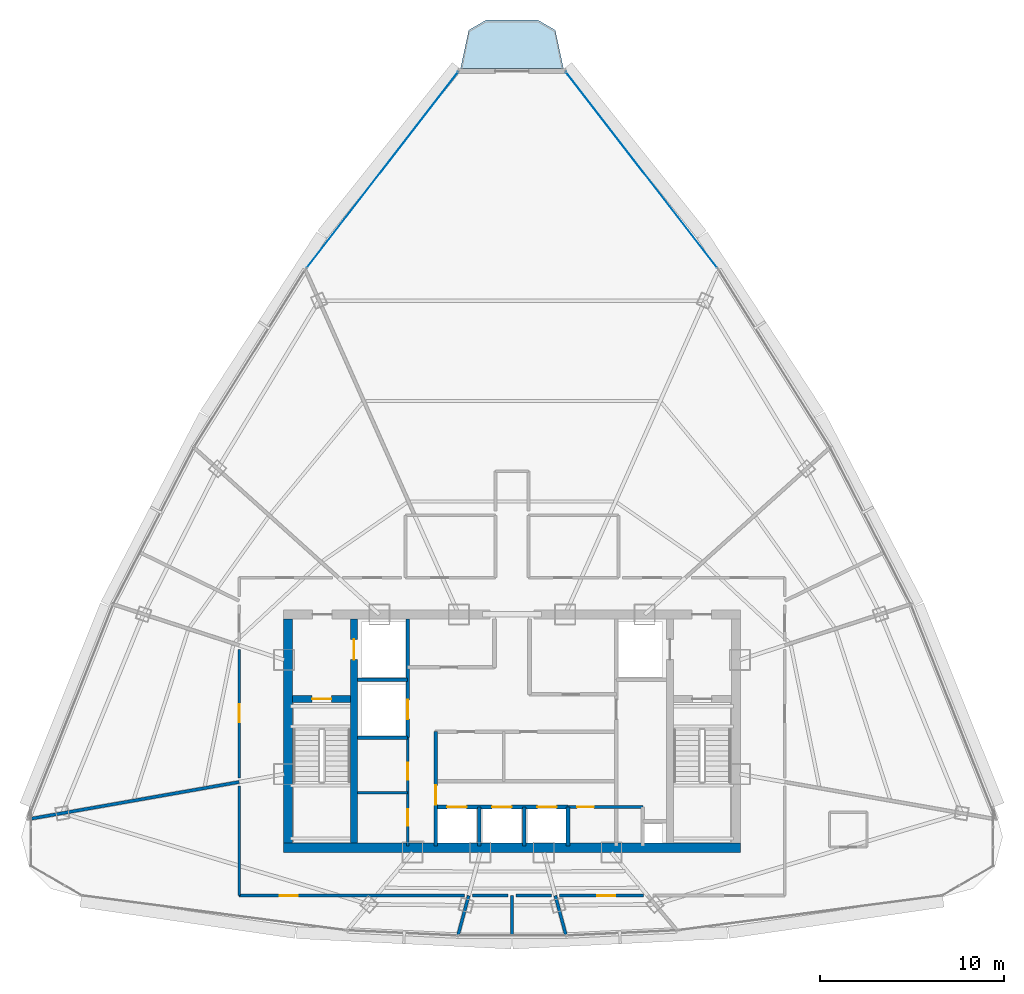
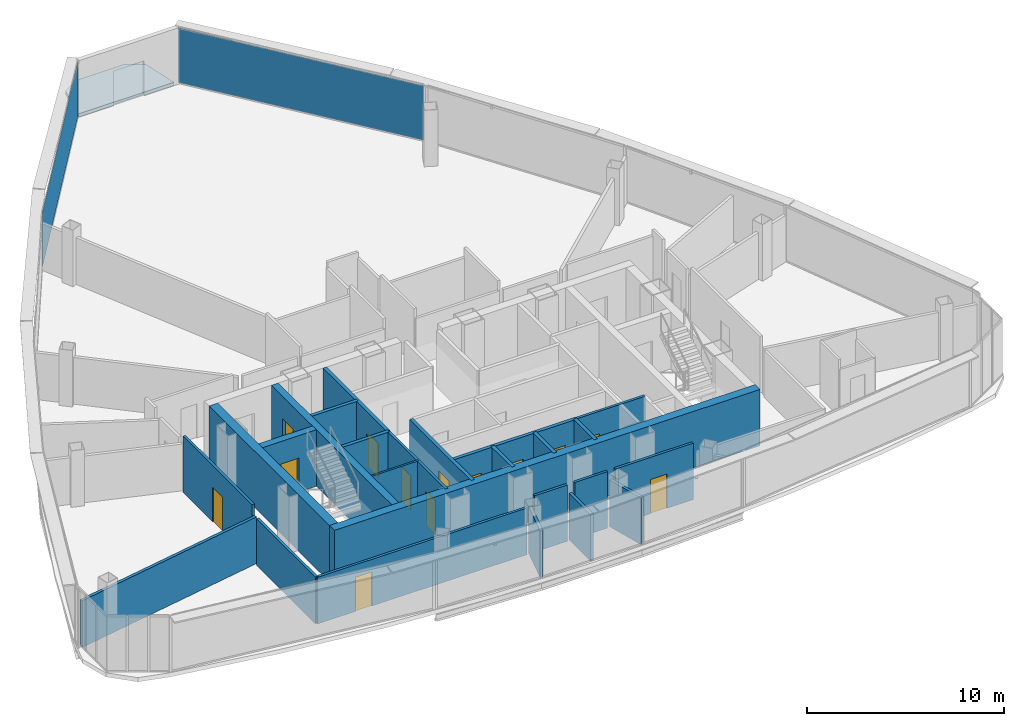
# One storey, part 24 of 29: 25 walls, 13 doors, 2 plates, 1 slab, 13 openings, 2 elements without a shape of their own.
"""IFC4 building model written with IfcOpenShell, lengths in metres."""

from ifc_helpers import new_model, si_unit, direction, frame, frame_2d, origin, origin_with_axes, origin_2d, place, context, subcontext, project, spatial, polyline, rectangle, outline, extrude, source, transform, mapped, material, layer, layer_set, type_object, element, fill, aggregate, save


model = new_model("IFC4")

# Units and contexts
model_context = context("Model", 3, precision=1e-05, world=origin(), true_north=direction((0.0, 1.0)))
body_context = subcontext(model_context, "Body", "Model", "MODEL_VIEW")
ifc_project = project(units=[si_unit("LENGTHUNIT", "METRE"), si_unit("AREAUNIT", "SQUARE_METRE"), si_unit("VOLUMEUNIT", "CUBIC_METRE"), si_unit("PLANEANGLEUNIT", "RADIAN"), si_unit("MASSUNIT", "GRAM", prefix="KILO"), si_unit("THERMODYNAMICTEMPERATUREUNIT", "KELVIN"), si_unit("POWERUNIT", "WATT")], contexts=[model_context])

# Site, building, storey
site_placement = place(None, origin())
site = spatial("IfcSite", under=ifc_project, at=site_placement, CompositionType="ELEMENT")
building_placement = place(site_placement, origin())
building = spatial("IfcBuilding", under=site, at=building_placement, Name="Yunzhuo Pagoda Commons", CompositionType="ELEMENT")
storey_placement = place(building_placement, frame((0.0, 0.0, 359.260009765625)))
storey = spatial("IfcBuildingStorey", under=building, at=storey_placement, Name="L90", CompositionType="ELEMENT", Elevation=359.260009765625)

# Slab
ifc_material_1 = material(Name="Concrete C40", Category="concrete")
ifc_layer_1 = layer(ifc_material_1, 0.199951171875)
ifc_layer_set_1 = layer_set([ifc_layer_1], Name="Concrete C40")
slab_type = type_object("IfcSlabType", Name="SL-BAL Vertex Balcony Deck Slab 200", PredefinedType="FLOOR", material=ifc_layer_set_1)
slab_placement = place(storey_placement, frame((0.0, 0.0, -0.199951171875)))
element("IfcSlab", 1, at=slab_placement, inside=storey, type_object=slab_type, Name="L90 corner balcony V3", PredefinedType="FLOOR", context=body_context, shape_type="SweptSolid", body=[
    extrude(outline(polyline([(50.802001953125, 69.911376953125), (45.197998046875, 69.911376953125), (45.64794921875, 72.00634765625), (46.59912109375, 72.556396484375), (49.40087890625, 72.556396484375), (50.35205078125, 72.00634765625), (50.802001953125, 69.911376953125)])), origin(), (0.0, 0.0, 1.0), 0.199951171875),
])

# Curtain wall, plate
ifc_material_2 = material(Name="Anodized aluminium 6063-T6", Category="aluminium")
ifc_layer_2 = layer(ifc_material_2, 0.139892578125)
ifc_layer_set_2 = layer_set([ifc_layer_2], Name="Anodized aluminium 6063-T6")
curtain_wall_type = type_object("IfcCurtainWallType", Name="CW-HI High-Zone Ribbon Curtain Wall", PredefinedType="NOTDEFINED", material=ifc_layer_set_2)
curtain_wall_1_placement = place(storey_placement, origin())
curtain_wall_1 = element("IfcCurtainWall", 2, at=curtain_wall_1_placement, inside=storey, type_object=curtain_wall_type, Name="L90 curtain wall CW-L90-F2B5", PredefinedType="NOTDEFINED")
ifc_material_3 = material(Name="Tempered low-e double glazing", Category="glass")
ifc_layer_3 = layer(ifc_material_3, 0.02587890625)
ifc_layer_set_3 = layer_set([ifc_layer_3], Name="Tempered low-e double glazing")
plate_type = type_object("IfcPlateType", Name="CW-HI-P Low-E Double Glazing 26", PredefinedType="CURTAIN_PANEL", material=ifc_layer_set_3)
shared_shape_1 = source(origin(), body_context, "Body", "SweptSolid", [
    extrude(rectangle(XDim=13.466064453125, YDim=0.028076171875, at=origin_2d()), origin(), (0.0, 0.0, 1.0), 3.3798828125),
])
plate_1_placement = place(storey_placement, frame((55.050048828125, 64.400634765625, 0.054931640625), z_axis=(0.0, 0.0, 1.0), x_axis=(-0.61136454293, 0.79134909847, 0.0)))
plate_1 = element("IfcPlate", 3, at=plate_1_placement, type_object=plate_type, Name="CW panel 1.1", PredefinedType="CURTAIN_PANEL", context=body_context, shape_type="MappedRepresentation", body=[
    mapped(shared_shape_1, transform((0.0, 0.0, 0.0), scale=1.0)),
])
aggregate(curtain_wall_1, [plate_1])

curtain_wall_2_placement = place(storey_placement, origin())
curtain_wall_2 = element("IfcCurtainWall", 4, at=curtain_wall_2_placement, inside=storey, type_object=curtain_wall_type, Name="L90 curtain wall CW-L90-F3B1", PredefinedType="NOTDEFINED")
plate_2_placement = place(storey_placement, frame((40.949951171875, 64.400634765625, 0.054931640625), z_axis=(0.0, 0.0, 1.0), x_axis=(-0.61136454293, -0.79134909847, 0.0)))
plate_2 = element("IfcPlate", 5, at=plate_2_placement, type_object=plate_type, Name="CW panel 1.1", PredefinedType="CURTAIN_PANEL", context=body_context, shape_type="MappedRepresentation", body=[
    mapped(shared_shape_1, transform((0.0, 0.0, 0.0), scale=1.0)),
])
aggregate(curtain_wall_2, [plate_2])

# Walls
ifc_material_4 = material(Name="Concrete C50", Category="concrete")
ifc_layer_4 = layer(ifc_material_4, 0.5)
ifc_layer_set_4 = layer_set([ifc_layer_4], Name="Concrete C50")
wall_type_1 = type_object("IfcWallType", Name="W-C03 Upper Core Shear Wall 500", PredefinedType="SHEAR", material=ifc_layer_set_4)
wall_1_placement = place(storey_placement, frame((35.550048828125, 27.5, 0.0), z_axis=(0.0, 0.0, 1.0), x_axis=(1.0, 0.0, 0.0)))
element("IfcWall", 6, at=wall_1_placement, inside=storey, type_object=wall_type_1, Name="L90 core shear wall S", PredefinedType="SHEAR", context=body_context, shape_type="SweptSolid", body=[
    extrude(rectangle(XDim=24.89990234375, YDim=0.5, at=frame_2d((12.449951171875, 0.0))), origin(), (0.0, 0.0, 1.0), 3.489990234375),
])
wall_2_placement = place(storey_placement, frame((35.800048828125, 27.75, 0.0), z_axis=(0.0, 0.0, 1.0), x_axis=(0.0, 1.0, 0.0)))
element("IfcWall", 7, at=wall_2_placement, inside=storey, type_object=wall_type_1, Name="L90 core shear wall W", PredefinedType="SHEAR", context=body_context, shape_type="SweptSolid", body=[
    extrude(rectangle(XDim=12.199951171875, YDim=0.5, at=frame_2d((6.10009765625, 0.0))), origin(), (0.0, 0.0, 1.0), 3.489990234375),
])

# Wall, openings, doors
ifc_material_5 = material(Name="Gypsum plasterboard on acoustic stud")
ifc_layer_5 = layer(ifc_material_5, 0.14990234375)
ifc_layer_set_5 = layer_set([ifc_layer_5], Name="Gypsum plasterboard on acoustic stud")
wall_type_2 = type_object("IfcWallType", Name="W-COR3 High-Zone Rated Corridor Wall 150", PredefinedType="PARTITIONING", material=ifc_layer_set_5)
wall_3_placement = place(storey_placement, frame((42.320068359375, 27.60009765625, 0.0), z_axis=(0.0, 0.0, 1.0), x_axis=(0.0, 1.0, 0.0)))
wall_3 = element("IfcWall", 8, at=wall_3_placement, inside=storey, type_object=wall_type_2, Name="L90 interior wall IW-L90-CSWE", PredefinedType="PARTITIONING", context=body_context, shape_type="SweptSolid", body=[
    extrude(rectangle(XDim=5.89990234375, YDim=0.14990234375, at=frame_2d((2.949951171875, 0.0))), origin(), (0.0, 0.0, 1.0), 3.489990234375),
])
opening_1_placement = place(wall_3_placement, frame((1.10009765625, 0.0, 0.0)))
opening_1 = element("IfcOpeningElement", 9, at=opening_1_placement, cuts=wall_3, Name="Opening D-03", PredefinedType="OPENING", context=body_context, shape_type="SweptSolid", body=[
    extrude(rectangle(XDim=0.89990234375, YDim=2.10009765625, at=frame_2d((0.449951171875, 1.050048828125))), frame((0.0, 0.0849609375, 0.0), z_axis=(0.0, -1.0, 0.0), x_axis=(1.0, 0.0, 0.0)), (0.0, 0.0, 1.0), 0.169921875),
])
opening_2_placement = place(wall_3_placement, frame((3.60009765625, 0.0, 0.0)))
opening_2 = element("IfcOpeningElement", 10, at=opening_2_placement, cuts=wall_3, Name="Opening D-11", PredefinedType="OPENING", context=body_context, shape_type="SweptSolid", body=[
    extrude(rectangle(XDim=0.93994140625, YDim=2.10009765625, at=frame_2d((0.469970703125, 1.050048828125))), frame((0.0, 0.0849609375, 0.0), z_axis=(0.0, -1.0, 0.0), x_axis=(1.0, 0.0, 0.0)), (0.0, 0.0, 1.0), 0.169921875),
])
ifc_material_6 = material(Name="Galvanized fire-resisting metal leaf")
door_type_1 = type_object("IfcDoorType", Name="D-03 Core Service Fire Door 900x2100", OperationType="NOTDEFINED", PredefinedType="DOOR", material=ifc_material_6)
shared_shape_2 = source(origin(), body_context, "Body", "SweptSolid", [
    extrude(rectangle(XDim=0.89990234375, YDim=2.10009765625, at=frame_2d((0.449951171875, 1.050048828125))), frame((0.0, 0.02490234375, 0.0), z_axis=(0.0, -1.0, 0.0), x_axis=(1.0, 0.0, 0.0)), (0.0, 0.0, 1.0), 0.050048828125),
])
door_1_placement = place(opening_1_placement, origin_with_axes())
door_1 = element("IfcDoor", 11, at=door_1_placement, inside=storey, type_object=door_type_1, Name="L90 housekeeping door", OperationType="SINGLE_SWING_RIGHT", OverallHeight=2.10009765625, OverallWidth=0.89990234375, PredefinedType="DOOR", context=body_context, shape_type="MappedRepresentation", body=[
    mapped(shared_shape_2, transform((0.0, 0.0, 0.0), scale=1.0)),
])
fill(opening_1, door_1)
door_type_2 = type_object("IfcDoorType", Name="D-11 Accessible Washroom Fire Door 940x2100", OperationType="NOTDEFINED", PredefinedType="DOOR", material=ifc_material_6)
shared_shape_3 = source(origin(), body_context, "Body", "SweptSolid", [
    extrude(rectangle(XDim=0.93994140625, YDim=2.10009765625, at=frame_2d((0.469970703125, 1.050048828125))), frame((0.0, 0.02490234375, 0.0), z_axis=(0.0, -1.0, 0.0), x_axis=(1.0, 0.0, 0.0)), (0.0, 0.0, 1.0), 0.050048828125),
])
door_2_placement = place(opening_2_placement, origin_with_axes())
door_2 = element("IfcDoor", 12, at=door_2_placement, inside=storey, type_object=door_type_2, Name="L90 core WC door", OperationType="SINGLE_SWING_RIGHT", OverallHeight=2.10009765625, OverallWidth=0.93994140625, PredefinedType="DOOR", context=body_context, shape_type="MappedRepresentation", body=[
    mapped(shared_shape_3, transform((0.0, 0.0, 0.0), scale=1.0)),
])
fill(opening_2, door_2)

# Wall, opening, door
wall_4_placement = place(storey_placement, frame((51.050048828125, 29.719970703125, 0.0), z_axis=(0.0, 0.0, 1.0), x_axis=(1.0, 0.0, 0.0)))
wall_4 = element("IfcWall", 13, at=wall_4_placement, inside=storey, type_object=wall_type_2, Name="L90 interior wall IW-L90-CSES", PredefinedType="PARTITIONING", context=body_context, shape_type="SweptSolid", body=[
    extrude(rectangle(XDim=4.070068359375, YDim=0.14990234375, at=frame_2d((2.03515625, 0.0))), origin(), (0.0, 0.0, 1.0), 3.489990234375),
])
opening_3_placement = place(wall_4_placement, frame((0.5, 0.0, 0.0)))
opening_3 = element("IfcOpeningElement", 14, at=opening_3_placement, cuts=wall_4, Name="Opening D-03", PredefinedType="OPENING", context=body_context, shape_type="SweptSolid", body=[
    extrude(rectangle(XDim=0.89990234375, YDim=2.10009765625, at=frame_2d((0.449951171875, 1.050048828125))), frame((0.0, 0.0849609375, 0.0), z_axis=(0.0, -1.0, 0.0), x_axis=(1.0, 0.0, 0.0)), (0.0, 0.0, 1.0), 0.169921875),
])
door_3_placement = place(opening_3_placement, origin_with_axes())
door_3 = element("IfcDoor", 15, at=door_3_placement, inside=storey, type_object=door_type_1, Name="L90 IT closet door", OperationType="SINGLE_SWING_LEFT", OverallHeight=2.10009765625, OverallWidth=0.89990234375, PredefinedType="DOOR", context=body_context, shape_type="MappedRepresentation", body=[
    mapped(shared_shape_2, transform((0.0, 0.0, 0.0), scale=1.0)),
])
fill(opening_3, door_3)

# Wall
wall_5_placement = place(storey_placement, frame((33.14990234375, 24.89990234375, 0.0), z_axis=(0.0, 0.0, 1.0), x_axis=(0.0, 1.0, 0.0)))
element("IfcWall", 16, at=wall_5_placement, inside=storey, type_object=wall_type_2, Name="L90 interior wall IW-L90-CWL01", PredefinedType="PARTITIONING", context=body_context, shape_type="SweptSolid", body=[
    extrude(rectangle(XDim=5.958251953125, YDim=0.14990234375, at=frame_2d((2.97900390625, 0.0))), origin(), (0.0, 0.0, 1.0), 2.889892578125),
])

# Wall, opening, door
wall_6_placement = place(storey_placement, frame((33.14990234375, 31.30126953125, 0.0), z_axis=(0.0, 0.0, 1.0), x_axis=(0.0, 1.0, 0.0)))
wall_6 = element("IfcWall", 17, at=wall_6_placement, inside=storey, type_object=wall_type_2, Name="L90 interior wall IW-L90-CWL02", PredefinedType="PARTITIONING", context=body_context, shape_type="SweptSolid", body=[
    extrude(rectangle(XDim=7.004150390625, YDim=0.14990234375, at=frame_2d((3.501953125, 0.0))), origin(), (0.0, 0.0, 1.0), 3.489990234375),
])
opening_4_placement = place(wall_6_placement, frame((3.027099609375, 0.0, 0.0)))
opening_4 = element("IfcOpeningElement", 18, at=opening_4_placement, cuts=wall_6, Name="Opening D-08", PredefinedType="OPENING", context=body_context, shape_type="SweptSolid", body=[
    extrude(rectangle(XDim=0.97998046875, YDim=2.1201171875, at=frame_2d((0.489990234375, 1.06005859375))), frame((0.0, 0.0849609375, 0.0), z_axis=(0.0, -1.0, 0.0), x_axis=(1.0, 0.0, 0.0)), (0.0, 0.0, 1.0), 0.169921875),
])
door_type_3 = type_object("IfcDoorType", Name="D-08 High-Zone Suite Entrance Fire Door 980x2120", OperationType="NOTDEFINED", PredefinedType="DOOR", material=ifc_material_6)
shared_shape_4 = source(origin(), body_context, "Body", "SweptSolid", [
    extrude(rectangle(XDim=0.97998046875, YDim=2.1201171875, at=frame_2d((0.489990234375, 1.06005859375))), frame((0.0, 0.02490234375, 0.0), z_axis=(0.0, -1.0, 0.0), x_axis=(1.0, 0.0, 0.0)), (0.0, 0.0, 1.0), 0.050048828125),
])
door_4_placement = place(opening_4_placement, origin_with_axes())
door_4 = element("IfcDoor", 19, at=door_4_placement, inside=storey, type_object=door_type_3, Name="L90 unit 08 entrance door", OperationType="SINGLE_SWING_LEFT", OverallHeight=2.1201171875, OverallWidth=0.97998046875, PredefinedType="DOOR", context=body_context, shape_type="MappedRepresentation", body=[
    mapped(shared_shape_4, transform((0.0, 0.0, 0.0), scale=1.0)),
])
fill(opening_4, door_4)

wall_7_placement = place(storey_placement, frame((55.164306640625, 24.89990234375, 0.0), z_axis=(0.0, 0.0, 1.0), x_axis=(-1.0, 0.0, 0.0)))
wall_7 = element("IfcWall", 20, at=wall_7_placement, inside=storey, type_object=wall_type_2, Name="L90 interior wall IW-L90-CWL17", PredefinedType="PARTITIONING", context=body_context, shape_type="SweptSolid", body=[
    extrude(rectangle(XDim=4.57861328125, YDim=0.14990234375, at=frame_2d((2.289306640625, 0.0))), origin(), (0.0, 0.0, 1.0), 3.489990234375),
])
opening_5_placement = place(wall_7_placement, frame((1.55029296875, 0.0, 0.0)))
opening_5 = element("IfcOpeningElement", 21, at=opening_5_placement, cuts=wall_7, Name="Opening D-08", PredefinedType="OPENING", context=body_context, shape_type="SweptSolid", body=[
    extrude(rectangle(XDim=0.97998046875, YDim=2.1201171875, at=frame_2d((0.489990234375, 1.06005859375))), frame((0.0, 0.0849609375, 0.0), z_axis=(0.0, -1.0, 0.0), x_axis=(1.0, 0.0, 0.0)), (0.0, 0.0, 1.0), 0.169921875),
])
door_5_placement = place(opening_5_placement, origin_with_axes())
door_5 = element("IfcDoor", 22, at=door_5_placement, inside=storey, type_object=door_type_3, Name="L90 unit 10 entrance door", OperationType="SINGLE_SWING_LEFT", OverallHeight=2.1201171875, OverallWidth=0.97998046875, PredefinedType="DOOR", context=body_context, shape_type="MappedRepresentation", body=[
    mapped(shared_shape_4, transform((0.0, 0.0, 0.0), scale=1.0)),
])
fill(opening_5, door_5)

# Walls
for number, where, z_axis, x_axis, name in (
    (23, (50.13818359375, 24.89990234375, 0.0), (0.0, 0.0, 1.0), (-1.0, 0.0, 0.0), "L90 interior wall IW-L90-CWL18"),
    (24, (47.780029296875, 24.89990234375, 0.0), (0.0, 0.0, 1.0), (-1.0, 0.0, 0.0), "L90 interior wall IW-L90-CWL19"),
):
    element("IfcWall", number, at=place(storey_placement, frame(where, z_axis=z_axis, x_axis=x_axis)), inside=storey, type_object=wall_type_2, Name=name, PredefinedType="PARTITIONING", context=body_context, shape_type="SweptSolid", body=[
        extrude(rectangle(XDim=1.918212890625, YDim=0.14990234375, at=frame_2d((0.958984375, 0.0))), origin(), (0.0, 0.0, 1.0), 3.489990234375),
    ])

# Wall, opening, door
wall_8_placement = place(storey_placement, frame((45.414306640625, 24.89990234375, 0.0), z_axis=(0.0, 0.0, 1.0), x_axis=(-1.0, 0.0, 0.0)))
wall_8 = element("IfcWall", 25, at=wall_8_placement, inside=storey, type_object=wall_type_2, Name="L90 interior wall IW-L90-CWL20", PredefinedType="PARTITIONING", context=body_context, shape_type="SweptSolid", body=[
    extrude(rectangle(XDim=12.264404296875, YDim=0.14990234375, at=frame_2d((6.13232421875, 0.0))), origin(), (0.0, 0.0, 1.0), 2.889892578125),
])
opening_6_placement = place(wall_8_placement, frame((9.06396484375, 0.0, 0.0)))
opening_6 = element("IfcOpeningElement", 26, at=opening_6_placement, cuts=wall_8, Name="Opening D-08", PredefinedType="OPENING", context=body_context, shape_type="SweptSolid", body=[
    extrude(rectangle(XDim=0.97998046875, YDim=2.1201171875, at=frame_2d((0.489990234375, 1.06005859375))), frame((0.0, 0.0849609375, 0.0), z_axis=(0.0, -1.0, 0.0), x_axis=(1.0, 0.0, 0.0)), (0.0, 0.0, 1.0), 0.169921875),
])
door_6_placement = place(opening_6_placement, origin_with_axes())
door_6 = element("IfcDoor", 27, at=door_6_placement, inside=storey, type_object=door_type_3, Name="L90 Resident Co-Living Commons Hall door", OperationType="SINGLE_SWING_RIGHT", OverallHeight=2.1201171875, OverallWidth=0.97998046875, PredefinedType="DOOR", context=body_context, shape_type="MappedRepresentation", body=[
    mapped(shared_shape_4, transform((0.0, 0.0, 0.0), scale=1.0)),
])
fill(opening_6, door_6)

# Walls
ifc_layer_6 = layer(ifc_material_5, 0.1201171875)
ifc_layer_set_6 = layer_set([ifc_layer_6], Name="Gypsum plasterboard on acoustic stud")
wall_type_3 = type_object("IfcWallType", Name="W-PRT1 Suite & Bathroom Partition 120", PredefinedType="PARTITIONING", material=ifc_layer_set_6)
wall_9_placement = place(storey_placement, frame((39.60009765625, 30.5, 0.0), z_axis=(0.0, 0.0, 1.0), x_axis=(1.0, 0.0, 0.0)))
element("IfcWall", 28, at=wall_9_placement, inside=storey, type_object=wall_type_3, Name="L90 interior wall IW-L90-CB1", PredefinedType="PARTITIONING", context=body_context, shape_type="SweptSolid", body=[
    extrude(rectangle(XDim=2.719970703125, YDim=0.1201171875, at=frame_2d((1.35986328125, 0.0))), origin(), (0.0, 0.0, 1.0), 3.489990234375),
])
ifc_layer_7 = layer(ifc_material_5, 0.169921875)
ifc_layer_set_7 = layer_set([ifc_layer_7], Name="Gypsum plasterboard on acoustic stud")
wall_type_4 = type_object("IfcWallType", Name="W-PRT4 High-Zone Demising Wall 170", PredefinedType="PARTITIONING", material=ifc_layer_set_7)
wall_10_placement = place(storey_placement, frame((33.14990234375, 31.08154296875, 0.0), z_axis=(0.0, 0.0, 1.0), x_axis=(-0.984809370591, -0.17363900367, 0.0)))
element("IfcWall", 29, at=wall_10_placement, inside=storey, type_object=wall_type_4, Name="L90 interior wall IW-L90-RAD08", PredefinedType="PARTITIONING", context=body_context, shape_type="SweptSolid", body=[
    extrude(rectangle(XDim=11.516845703125, YDim=0.169921875, at=frame_2d((5.75830078125, 0.0))), origin(), (0.0, 0.0, 1.0), 2.889892578125),
])
wall_11_placement = place(storey_placement, frame((45.64208984375, 24.89990234375, 0.0), z_axis=(0.0, 0.0, 1.0), x_axis=(-0.258842593831, -0.965919516119, 0.0)))
element("IfcWall", 30, at=wall_11_placement, inside=storey, type_object=wall_type_4, Name="L90 interior wall IW-L90-RAD09", PredefinedType="PARTITIONING", context=body_context, shape_type="SweptSolid", body=[
    extrude(rectangle(XDim=2.25341796875, YDim=0.169921875, at=frame_2d((1.126708984375, 0.0))), origin(), (0.0, 0.0, 1.0), 2.889892578125),
])
wall_12_placement = place(storey_placement, frame((48.0, 24.89990234375, 0.0), z_axis=(0.0, 0.0, 1.0), x_axis=(0.0, -1.0, 0.0)))
element("IfcWall", 31, at=wall_12_placement, inside=storey, type_object=wall_type_4, Name="L90 interior wall IW-L90-RAD10", PredefinedType="PARTITIONING", context=body_context, shape_type="SweptSolid", body=[
    extrude(rectangle(XDim=2.176513671875, YDim=0.169921875, at=frame_2d((1.08837890625, 0.0))), origin(), (0.0, 0.0, 1.0), 2.889892578125),
])
wall_13_placement = place(storey_placement, frame((50.35791015625, 24.89990234375, 0.0), z_axis=(0.0, 0.0, 1.0), x_axis=(0.258842593831, -0.965919516119, 0.0)))
element("IfcWall", 32, at=wall_13_placement, inside=storey, type_object=wall_type_4, Name="L90 interior wall IW-L90-RAD11", PredefinedType="PARTITIONING", context=body_context, shape_type="SweptSolid", body=[
    extrude(rectangle(XDim=2.25341796875, YDim=0.169921875, at=frame_2d((1.126708984375, 0.0))), origin(), (0.0, 0.0, 1.0), 2.889892578125),
])

# Wall, opening, door
ifc_material_7 = material(Name="Concrete C60", Category="concrete")
ifc_layer_8 = layer(ifc_material_7, 0.39990234375)
ifc_layer_set_8 = layer_set([ifc_layer_8], Name="Concrete C60")
wall_type_5 = type_object("IfcWallType", Name="W-S01 Internal Core Shear Web 400", PredefinedType="SHEAR", material=ifc_layer_set_8)
wall_14_placement = place(storey_placement, frame((39.39990234375, 27.75, 0.0), z_axis=(0.0, 0.0, 1.0), x_axis=(0.0, 1.0, 0.0)))
wall_14 = element("IfcWall", 33, at=wall_14_placement, inside=storey, type_object=wall_type_5, Name="L90 core shear wall WEBW", PredefinedType="SHEAR", context=body_context, shape_type="SweptSolid", body=[
    extrude(rectangle(XDim=12.199951171875, YDim=0.39990234375, at=frame_2d((6.10009765625, 0.0))), origin(), (0.0, 0.0, 1.0), 3.489990234375),
])
opening_7_placement = place(wall_14_placement, frame((10.0, 0.0, 0.0)))
opening_7 = element("IfcOpeningElement", 34, at=opening_7_placement, cuts=wall_14, Name="Opening LD-01", PredefinedType="OPENING", context=body_context, shape_type="SweptSolid", body=[
    extrude(rectangle(XDim=1.10009765625, YDim=2.10009765625, at=frame_2d((0.550048828125, 1.050048828125))), frame((0.0, 0.2099609375, 0.0), z_axis=(0.0, -1.0, 0.0), x_axis=(1.0, 0.0, 0.0)), (0.0, 0.0, 1.0), 0.419921875),
])
door_type_4 = type_object("IfcDoorType", Name="LD-01 Firefighting Lift Landing Door 1100x2100", OperationType="DOUBLE_DOOR_SLIDING", PredefinedType="DOOR", material=ifc_material_6)
shared_shape_5 = source(origin(), body_context, "Body", "SweptSolid", [
    extrude(rectangle(XDim=1.10009765625, YDim=2.10009765625, at=frame_2d((0.550048828125, 1.050048828125))), frame((0.0, 0.02490234375, 0.0), z_axis=(0.0, -1.0, 0.0), x_axis=(1.0, 0.0, 0.0)), (0.0, 0.0, 1.0), 0.050048828125),
])
door_7_placement = place(opening_7_placement, frame((1.10009765625, 0.0, 0.0), z_axis=(0.0, 0.0, 1.0), x_axis=(-1.0, 0.0, 0.0)))
door_7 = element("IfcDoor", 35, at=door_7_placement, inside=storey, type_object=door_type_4, Name="L90 Firefighting lift FL-1 landing door", OperationType="DOUBLE_DOOR_SLIDING", OverallHeight=2.10009765625, OverallWidth=1.10009765625, PredefinedType="DOOR", context=body_context, shape_type="MappedRepresentation", body=[
    mapped(shared_shape_5, transform((0.0, 0.0, 0.0), scale=1.0)),
])
fill(opening_7, door_7)

wall_15_placement = place(storey_placement, frame((36.050048828125, 35.60009765625, 0.0), z_axis=(0.0, 0.0, 1.0), x_axis=(1.0, 0.0, 0.0)))
wall_15 = element("IfcWall", 36, at=wall_15_placement, inside=storey, type_object=wall_type_5, Name="L90 core shear wall STW", PredefinedType="SHEAR", context=body_context, shape_type="SweptSolid", body=[
    extrude(rectangle(XDim=3.14990234375, YDim=0.39990234375, at=frame_2d((1.574951171875, 0.0))), origin(), (0.0, 0.0, 1.0), 3.489990234375),
])
opening_8_placement = place(wall_15_placement, frame((1.070068359375, 0.0, 0.0)))
opening_8 = element("IfcOpeningElement", 37, at=opening_8_placement, cuts=wall_15, Name="Opening D-01", PredefinedType="OPENING", context=body_context, shape_type="SweptSolid", body=[
    extrude(rectangle(XDim=1.050048828125, YDim=2.10009765625, at=frame_2d((0.52490234375, 1.050048828125))), frame((0.0, 0.2099609375, 0.0), z_axis=(0.0, -1.0, 0.0), x_axis=(1.0, 0.0, 0.0)), (0.0, 0.0, 1.0), 0.419921875),
])
door_type_5 = type_object("IfcDoorType", Name="D-01 Smokeproof Stair Fire Door 1050x2100", OperationType="NOTDEFINED", PredefinedType="DOOR", material=ifc_material_6)
shared_shape_6 = source(origin(), body_context, "Body", "SweptSolid", [
    extrude(rectangle(XDim=1.050048828125, YDim=2.10009765625, at=frame_2d((0.52490234375, 1.050048828125))), frame((0.0, 0.02490234375, 0.0), z_axis=(0.0, -1.0, 0.0), x_axis=(1.0, 0.0, 0.0)), (0.0, 0.0, 1.0), 0.050048828125),
])
door_8_placement = place(opening_8_placement, frame((1.050048828125, 0.0, 0.0), z_axis=(0.0, 0.0, 1.0), x_axis=(-1.0, 0.0, 0.0)))
door_8 = element("IfcDoor", 38, at=door_8_placement, inside=storey, type_object=door_type_5, Name="L90 Stair ST1 fire door", OperationType="SINGLE_SWING_LEFT", OverallHeight=2.10009765625, OverallWidth=1.050048828125, PredefinedType="DOOR", context=body_context, shape_type="MappedRepresentation", body=[
    mapped(shared_shape_6, transform((0.0, 0.0, 0.0), scale=1.0)),
])
fill(opening_8, door_8)

ifc_layer_9 = layer(ifc_material_1, 0.199951171875)
ifc_layer_set_9 = layer_set([ifc_layer_9], Name="Concrete C40")
wall_type_6 = type_object("IfcWallType", Name="W-SHF Shaft & Stair Enclosure Wall 200", PredefinedType="SOLIDWALL", material=ifc_layer_set_9)
wall_16_placement = place(storey_placement, frame((42.320068359375, 33.5, 0.0), z_axis=(0.0, 0.0, 1.0), x_axis=(0.0, 1.0, 0.0)))
wall_16 = element("IfcWall", 39, at=wall_16_placement, inside=storey, type_object=wall_type_6, Name="L90 interior wall IW-L90-FL1E", PredefinedType="SOLIDWALL", context=body_context, shape_type="SweptSolid", body=[
    extrude(rectangle(XDim=6.449951171875, YDim=0.199951171875, at=frame_2d((3.22509765625, 0.0))), origin(), (0.0, 0.0, 1.0), 3.489990234375),
])
opening_9_placement = place(wall_16_placement, frame((1.0, 0.0, 0.0)))
opening_9 = element("IfcOpeningElement", 40, at=opening_9_placement, cuts=wall_16, Name="Opening LD-02", PredefinedType="OPENING", context=body_context, shape_type="SweptSolid", body=[
    extrude(rectangle(XDim=1.050048828125, YDim=2.10009765625, at=frame_2d((0.52490234375, 1.050048828125))), frame((0.0, 0.10986328125, 0.0), z_axis=(0.0, -1.0, 0.0), x_axis=(1.0, 0.0, 0.0)), (0.0, 0.0, 1.0), 0.219970703125),
])
door_type_6 = type_object("IfcDoorType", Name="LD-02 Passenger Lift Landing Door 1050x2100", OperationType="DOUBLE_DOOR_SLIDING", PredefinedType="DOOR", material=ifc_material_6)
door_9_placement = place(opening_9_placement, origin_with_axes())
door_9 = element("IfcDoor", 41, at=door_9_placement, inside=storey, type_object=door_type_6, Name="L90 Service lift SL-1 landing door", OperationType="DOUBLE_DOOR_SLIDING", OverallHeight=2.10009765625, OverallWidth=1.050048828125, PredefinedType="DOOR", context=body_context, shape_type="MappedRepresentation", body=[
    mapped(shared_shape_6, transform((0.0, 0.0, 0.0), scale=1.0)),
])
fill(opening_9, door_9)

# Walls
for number, where, z_axis, x_axis, name in (
    (42, (39.60009765625, 36.64990234375, 0.0), (0.0, 0.0, 1.0), (1.0, 0.0, 0.0), "L90 interior wall IW-L90-FL1S"),
    (43, (39.60009765625, 33.5, 0.0), (0.0, 0.0, 1.0), (1.0, 0.0, 0.0), "L90 interior wall IW-L90-SL1S"),
):
    element("IfcWall", number, at=place(storey_placement, frame(where, z_axis=z_axis, x_axis=x_axis)), inside=storey, type_object=wall_type_6, Name=name, PredefinedType="SOLIDWALL", context=body_context, shape_type="SweptSolid", body=[
        extrude(rectangle(XDim=2.719970703125, YDim=0.199951171875, at=frame_2d((1.35986328125, 0.0))), origin(), (0.0, 0.0, 1.0), 3.489990234375),
    ])

# Wall, opening, door
wall_17_placement = place(storey_placement, frame((43.85009765625, 27.60009765625, 0.0), z_axis=(0.0, 0.0, 1.0), x_axis=(0.0, 1.0, 0.0)))
wall_17 = element("IfcWall", 44, at=wall_17_placement, inside=storey, type_object=wall_type_6, Name="L90 interior wall IW-L90-PLMW", PredefinedType="SOLIDWALL", context=body_context, shape_type="SweptSolid", body=[
    extrude(rectangle(XDim=6.219970703125, YDim=0.199951171875, at=frame_2d((3.10986328125, 0.0))), origin(), (0.0, 0.0, 1.0), 3.489990234375),
])
opening_10_placement = place(wall_17_placement, frame((2.25, 0.0, 0.0)))
opening_10 = element("IfcOpeningElement", 45, at=opening_10_placement, cuts=wall_17, Name="Opening D-02", PredefinedType="OPENING", context=body_context, shape_type="SweptSolid", body=[
    extrude(rectangle(XDim=1.050048828125, YDim=2.10009765625, at=frame_2d((0.52490234375, 1.050048828125))), frame((0.0, 0.10986328125, 0.0), z_axis=(0.0, -1.0, 0.0), x_axis=(1.0, 0.0, 0.0)), (0.0, 0.0, 1.0), 0.219970703125),
])
door_type_7 = type_object("IfcDoorType", Name="D-02 Firefighting Lobby & Refuge Fire Door 1050x2100", OperationType="NOTDEFINED", PredefinedType="DOOR", material=ifc_material_6)
door_10_placement = place(opening_10_placement, frame((1.050048828125, 0.0, 0.0), z_axis=(0.0, 0.0, 1.0), x_axis=(-1.0, 0.0, 0.0)))
door_10 = element("IfcDoor", 46, at=door_10_placement, inside=storey, type_object=door_type_7, Name="L90 High-bank hall west door", OperationType="SINGLE_SWING_LEFT", OverallHeight=2.10009765625, OverallWidth=1.050048828125, PredefinedType="DOOR", context=body_context, shape_type="MappedRepresentation", body=[
    mapped(shared_shape_6, transform((0.0, 0.0, 0.0), scale=1.0)),
])
fill(opening_10, door_10)

# Wall, openings, doors
wall_18_placement = place(storey_placement, frame((43.85009765625, 29.719970703125, 0.0), z_axis=(0.0, 0.0, 1.0), x_axis=(1.0, 0.0, 0.0)))
wall_18 = element("IfcWall", 47, at=wall_18_placement, inside=storey, type_object=wall_type_6, Name="L90 interior wall IW-L90-PLHN", PredefinedType="SOLIDWALL", context=body_context, shape_type="SweptSolid", body=[
    extrude(rectangle(XDim=7.199951171875, YDim=0.199951171875, at=frame_2d((3.60009765625, 0.0))), origin(), (0.0, 0.0, 1.0), 3.489990234375),
])
opening_11_placement = place(wall_18_placement, frame((0.625, 0.0, 0.0)))
opening_11 = element("IfcOpeningElement", 48, at=opening_11_placement, cuts=wall_18, Name="Opening LD-02", PredefinedType="OPENING", context=body_context, shape_type="SweptSolid", body=[
    extrude(rectangle(XDim=1.050048828125, YDim=2.10009765625, at=frame_2d((0.52490234375, 1.050048828125))), frame((0.0, 0.10986328125, 0.0), z_axis=(0.0, -1.0, 0.0), x_axis=(1.0, 0.0, 0.0)), (0.0, 0.0, 1.0), 0.219970703125),
])
opening_12_placement = place(wall_18_placement, frame((3.074951171875, 0.0, 0.0)))
opening_12 = element("IfcOpeningElement", 49, at=opening_12_placement, cuts=wall_18, Name="Opening LD-02", PredefinedType="OPENING", context=body_context, shape_type="SweptSolid", body=[
    extrude(rectangle(XDim=1.050048828125, YDim=2.10009765625, at=frame_2d((0.52490234375, 1.050048828125))), frame((0.0, 0.10986328125, 0.0), z_axis=(0.0, -1.0, 0.0), x_axis=(1.0, 0.0, 0.0)), (0.0, 0.0, 1.0), 0.219970703125),
])
opening_13_placement = place(wall_18_placement, frame((5.52490234375, 0.0, 0.0)))
opening_13 = element("IfcOpeningElement", 50, at=opening_13_placement, cuts=wall_18, Name="Opening LD-02", PredefinedType="OPENING", context=body_context, shape_type="SweptSolid", body=[
    extrude(rectangle(XDim=1.050048828125, YDim=2.10009765625, at=frame_2d((0.52490234375, 1.050048828125))), frame((0.0, 0.10986328125, 0.0), z_axis=(0.0, -1.0, 0.0), x_axis=(1.0, 0.0, 0.0)), (0.0, 0.0, 1.0), 0.219970703125),
])
door_11_placement = place(opening_11_placement, origin_with_axes())
door_11 = element("IfcDoor", 51, at=door_11_placement, inside=storey, type_object=door_type_6, Name="L90 Passenger lift PL-H1 landing door", OperationType="DOUBLE_DOOR_SLIDING", OverallHeight=2.10009765625, OverallWidth=1.050048828125, PredefinedType="DOOR", context=body_context, shape_type="MappedRepresentation", body=[
    mapped(shared_shape_6, transform((0.0, 0.0, 0.0), scale=1.0)),
])
fill(opening_11, door_11)
door_12_placement = place(opening_12_placement, origin_with_axes())
door_12 = element("IfcDoor", 52, at=door_12_placement, inside=storey, type_object=door_type_6, Name="L90 Passenger lift PL-H2 landing door", OperationType="DOUBLE_DOOR_SLIDING", OverallHeight=2.10009765625, OverallWidth=1.050048828125, PredefinedType="DOOR", context=body_context, shape_type="MappedRepresentation", body=[
    mapped(shared_shape_6, transform((0.0, 0.0, 0.0), scale=1.0)),
])
fill(opening_12, door_12)
door_13_placement = place(opening_13_placement, origin_with_axes())
door_13 = element("IfcDoor", 53, at=door_13_placement, inside=storey, type_object=door_type_6, Name="L90 Passenger lift PL-H3 landing door", OperationType="DOUBLE_DOOR_SLIDING", OverallHeight=2.10009765625, OverallWidth=1.050048828125, PredefinedType="DOOR", context=body_context, shape_type="MappedRepresentation", body=[
    mapped(shared_shape_6, transform((0.0, 0.0, 0.0), scale=1.0)),
])
fill(opening_13, door_13)

# Walls
for number, where, z_axis, x_axis, name in (
    (54, (51.050048828125, 27.60009765625, 0.0), (0.0, 0.0, 1.0), (0.0, 1.0, 0.0), "L90 interior wall IW-L90-PLHE"),
    (55, (46.22509765625, 27.60009765625, 0.0), (0.0, 0.0, 1.0), (0.0, 1.0, 0.0), "L90 interior wall IW-L90-PLHD1"),
    (56, (48.675048828125, 27.60009765625, 0.0), (0.0, 0.0, 1.0), (0.0, 1.0, 0.0), "L90 interior wall IW-L90-PLHD2"),
):
    element("IfcWall", number, at=place(storey_placement, frame(where, z_axis=z_axis, x_axis=x_axis)), inside=storey, type_object=wall_type_6, Name=name, PredefinedType="SOLIDWALL", context=body_context, shape_type="SweptSolid", body=[
        extrude(rectangle(XDim=2.119873046875, YDim=0.199951171875, at=frame_2d((1.06005859375, 0.0))), origin(), (0.0, 0.0, 1.0), 3.489990234375),
    ])

save(model, "model.ifc")
